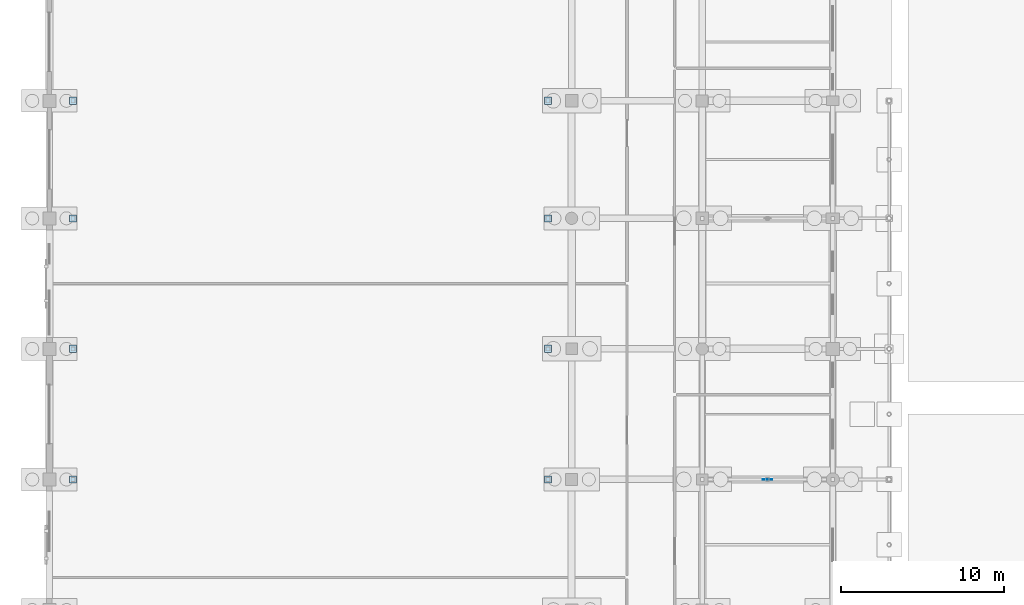
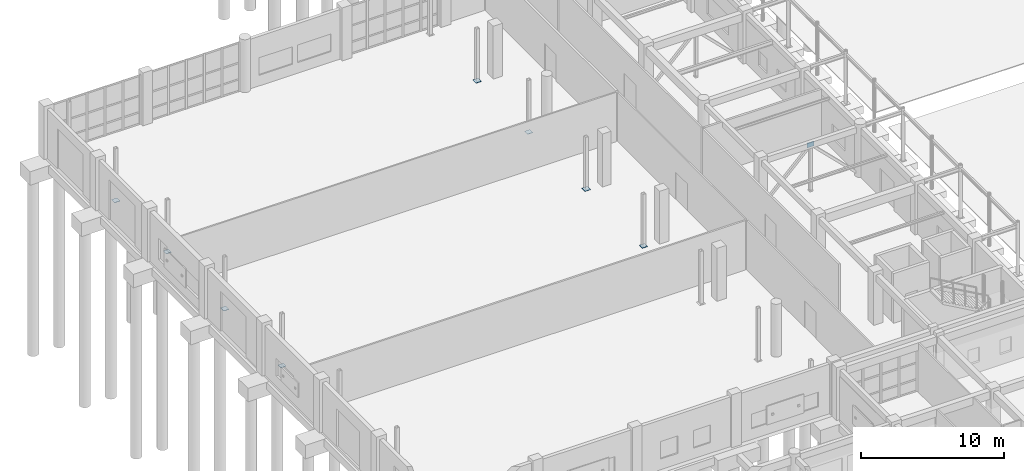
# One storey, part 121 of 166: 9 plates.
"""IFC4 building model written with IfcOpenShell, lengths in metres."""

from ifc_helpers import new_model, si_unit, direction, frame, origin, origin_2d, place, context, subcontext, project, spatial, rectangle, extrude, material, type_object, element, save


model = new_model("IFC4")

# Units and contexts
model_context = context("Model", 3, precision=1e-05, world=origin(), true_north=direction((0.0, 1.0)))
body_context = subcontext(model_context, "Body", "Model", "MODEL_VIEW")
ifc_project = project(units=[si_unit("LENGTHUNIT", "METRE"), si_unit("AREAUNIT", "SQUARE_METRE"), si_unit("VOLUMEUNIT", "CUBIC_METRE"), si_unit("PLANEANGLEUNIT", "RADIAN"), si_unit("MASSUNIT", "GRAM", prefix="KILO")], contexts=[model_context])

# Site, building, storey
site_placement = place(None, origin())
site = spatial("IfcSite", under=ifc_project, at=site_placement, CompositionType="ELEMENT")
building_placement = place(site_placement, origin())
building = spatial("IfcBuilding", under=site, at=building_placement, Name="Kharva Crest Polytechnic", CompositionType="ELEMENT")
storey_placement = place(building_placement, origin())
storey = spatial("IfcBuildingStorey", under=building, at=storey_placement, Name="L00", CompositionType="ELEMENT", Elevation=0.0)

# Plates
ifc_material = material(Name="Steel S355", Category="steel")
plate_type_1 = type_object("IfcPlateType", Name="PLT-BASE-420X420X22", PredefinedType="USERDEFINED", material=ifc_material)
for number, where, z_axis, x_axis, name in (
    (1, (1.449951171875, 62.800048828125, 0.0009765625), (0.0, 0.0, 1.0), (1.0, 0.0, 0.0), "L00 Crane Column Base Plate W4"),
    (2, (1.449951171875, 78.800048828125, 0.0009765625), (0.0, 0.0, 1.0), (1.0, 0.0, 0.0), "L00 Crane Column Base Plate W6"),
    (3, (30.550048828125, 62.800048828125, 0.0009765625), (0.0, 0.0, 1.0), (1.0, 0.0, 0.0), "L00 Crane Column Base Plate E4"),
    (4, (30.550048828125, 78.800048828125, 0.0009765625), (0.0, 0.0, 1.0), (1.0, 0.0, 0.0), "L00 Crane Column Base Plate E6"),
):
    element("IfcPlate", number, at=place(storey_placement, frame(where, z_axis=z_axis, x_axis=x_axis)), inside=storey, type_object=plate_type_1, Name=name, ObjectType="BASE PLATE", PredefinedType="USERDEFINED", context=body_context, shape_type="SweptSolid", body=[
        extrude(rectangle(XDim=0.419921875, YDim=0.419921875, at=origin_2d()), origin(), (0.0, 0.0, 1.0), 0.02197265625),
    ])
plate_type_2 = type_object("IfcPlateType", Name="PLT-BASE-450X450X24", PredefinedType="USERDEFINED", material=ifc_material)
for number, where, z_axis, x_axis, name in (
    (5, (1.449951171875, 70.800048828125, 0.0), (0.0, 0.0, 1.0), (1.0, 0.0, 0.0), "L00 Crane Column Base Plate W5"),
    (6, (1.449951171875, 86.0, 0.0), (0.0, 0.0, 1.0), (1.0, 0.0, 0.0), "L00 Crane Column Base Plate W7"),
    (7, (30.550048828125, 70.800048828125, 0.0), (0.0, 0.0, 1.0), (1.0, 0.0, 0.0), "L00 Crane Column Base Plate E5"),
    (8, (30.550048828125, 86.0, 0.0), (0.0, 0.0, 1.0), (1.0, 0.0, 0.0), "L00 Crane Column Base Plate E7"),
):
    element("IfcPlate", number, at=place(storey_placement, frame(where, z_axis=z_axis, x_axis=x_axis)), inside=storey, type_object=plate_type_2, Name=name, ObjectType="BASE PLATE", PredefinedType="USERDEFINED", context=body_context, shape_type="SweptSolid", body=[
        extrude(rectangle(XDim=0.449951171875, YDim=0.449951171875, at=origin_2d()), origin(), (0.0, 0.0, 1.0), 0.02392578125),
    ])
plate_type_3 = type_object("IfcPlateType", Name="PLT-GUS-580X420X18", PredefinedType="USERDEFINED", material=ifc_material)
plate_placement = place(storey_placement, frame((44.0, 62.800048828125, 3.739990234375), z_axis=(0.0, 0.0, 1.0), x_axis=(1.0, 0.0, 0.0)))
element("IfcPlate", 9, at=plate_placement, inside=storey, type_object=plate_type_3, Name="L00 Braced Frame Gusset Plate 1", ObjectType="GUSSET PLATE", PredefinedType="USERDEFINED", context=body_context, shape_type="SweptSolid", body=[
    extrude(rectangle(XDim=0.580078125, YDim=0.01806640625, at=origin_2d()), origin(), (0.0, 0.0, 1.0), 0.419921875),
])

save(model, "model.ifc")
